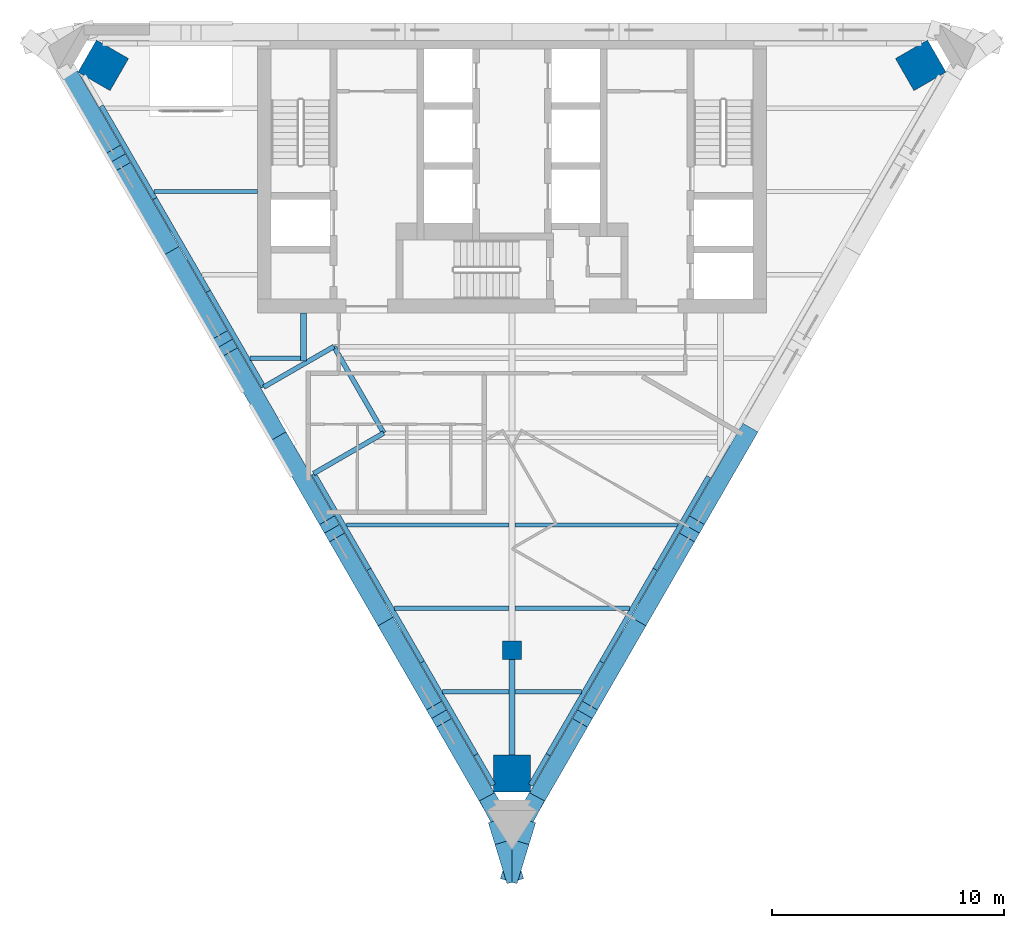
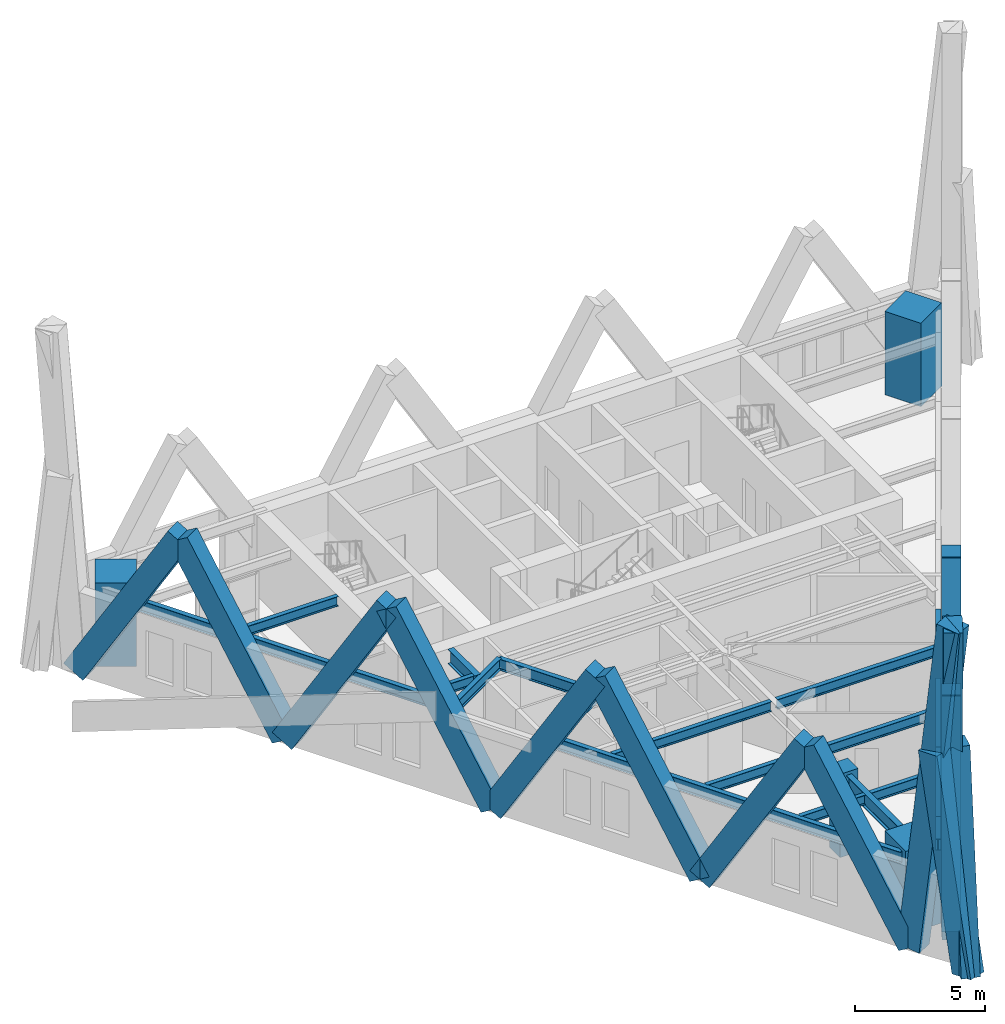
# One storey, part 1 of 9: 24 beams, 16 members, 4 columns.
"""IFC4 building model written with IfcOpenShell, lengths in metres."""

from ifc_helpers import new_model, si_unit, direction, frame, origin, origin_2d, place, context, subcontext, project, spatial, rectangle, i_section, extrude, material, material_profile, profile_set, type_object, element, save


model = new_model("IFC4")

# Units and contexts
model_context = context("Model", 3, precision=1e-05, world=origin(), true_north=direction((0.0, 1.0)))
body_context = subcontext(model_context, "Body", "Model", "MODEL_VIEW")
ifc_project = project(units=[si_unit("LENGTHUNIT", "METRE"), si_unit("AREAUNIT", "SQUARE_METRE"), si_unit("VOLUMEUNIT", "CUBIC_METRE"), si_unit("PLANEANGLEUNIT", "RADIAN"), si_unit("MASSUNIT", "GRAM", prefix="KILO")], contexts=[model_context])

# Site, building, storey
site_placement = place(None, origin())
site = spatial("IfcSite", under=ifc_project, at=site_placement, CompositionType="ELEMENT")
building_placement = place(site_placement, origin())
building = spatial("IfcBuilding", under=site, at=building_placement, Name="Aloe Facet Convention Tower", CompositionType="ELEMENT")
storey_placement = place(building_placement, frame((0.0, 0.0, 254.300048828125)))
storey = spatial("IfcBuildingStorey", under=building, at=storey_placement, Name="L62", CompositionType="ELEMENT", Elevation=254.300048828125)

# Columns
ifc_material_1 = material(Name="Concrete C70/85", Category="concrete")
ifc_material_profile_1 = material_profile(ifc_material_1, rectangle(XDim=0.800048828125, YDim=0.800048828125, at=origin_2d()), Name="SF-GC-Z5")
ifc_profile_set_1 = profile_set([ifc_material_profile_1], Name="Concrete C70/85")
column_type_1 = type_object("IfcColumnType", Name="SF-GC-Z5", PredefinedType="COLUMN", material=ifc_profile_set_1)
column_placement = place(storey_placement, frame((80.0, 108.0, 0.0), z_axis=(0.0, 0.0, 1.0), x_axis=(1.0, 0.0, 0.0)))
element("IfcColumn", 1, at=column_placement, inside=storey, type_object=column_type_1, Name="Gravity column GC-Z5-9D", PredefinedType="COLUMN", context=body_context, shape_type="SweptSolid", body=[
    extrude(rectangle(XDim=0.800048828125, YDim=0.800048828125, at=origin_2d()), origin(), (0.0, 0.0, 1.0), 3.89990234375),
])
ifc_material_2 = material(Name="Concrete C80/95", Category="concrete")
ifc_material_profile_2 = material_profile(ifc_material_2, rectangle(XDim=1.60009765625, YDim=1.60009765625, at=origin_2d()), Name="STW-MC-Z5")
ifc_profile_set_2 = profile_set([ifc_material_profile_2], Name="Concrete C80/95")
column_type_2 = type_object("IfcColumnType", Name="STW-MC-Z5", PredefinedType="COLUMN", material=ifc_profile_set_2)
for number, where, z_axis, x_axis, name in (
    (2, (97.650634765625, 133.247314453125, 0.0), (0.0, 0.0, 1.0), (-0.5, 0.866025403784, 0.0), "Mega-column MC-NE-L62"),
    (3, (62.349365234375, 133.247314453125, 0.0), (0.0, 0.0, 1.0), (-0.5, -0.866025403784, 0.0), "Mega-column MC-NW-L62"),
    (4, (80.0, 102.67578125, 0.0), (0.0, 0.0, 1.0), (1.0, 0.0, 0.0), "Mega-column MC-S-L62"),
):
    element("IfcColumn", number, at=place(storey_placement, frame(where, z_axis=z_axis, x_axis=x_axis)), inside=storey, type_object=column_type_2, Name=name, PredefinedType="COLUMN", context=body_context, shape_type="SweptSolid", body=[
        extrude(rectangle(XDim=1.60009765625, YDim=1.60009765625, at=origin_2d()), origin(), (0.0, 0.0, 1.0), 3.89990234375),
    ])

# Beams
ifc_material_3 = material(Name="Steel S355", Category="steel")
ifc_material_profile_3 = material_profile(ifc_material_3, i_section(OverallWidth=0.19140625, OverallDepth=0.4599609375, WebThickness=0.010009765625, FlangeThickness=0.01611328125, FilletRadius=0.01025390625, at=origin_2d()), Name="UB 457x191x82")
ifc_profile_set_3 = profile_set([ifc_material_profile_3], Name="Steel S355")
beam_type_1 = type_object("IfcBeamType", Name="SF-B-UB457x191x82", PredefinedType="BEAM", material=ifc_profile_set_3)
beam_1_placement = place(storey_placement, frame((64.53076171875, 127.800048828125, 3.52001953125), z_axis=(1.0, 0.0, 0.0), x_axis=(0.0, 1.0, 0.0)))
element("IfcBeam", 5, at=beam_1_placement, inside=storey, type_object=beam_type_1, Name="Floor beam FB-Z5E-030", PredefinedType="BEAM", context=body_context, shape_type="SweptSolid", body=[
    extrude(i_section(OverallWidth=0.19140625, OverallDepth=0.4599609375, WebThickness=0.010009765625, FlangeThickness=0.01611328125, FilletRadius=0.01025390625, at=origin_2d()), origin(), (0.0, 0.0, 1.0), 4.46923828125),
])
beam_2_placement = place(storey_placement, frame((68.687744140625, 120.60009765625, 3.52001953125), z_axis=(1.0, 0.0, 0.0), x_axis=(0.0, 1.0, 0.0)))
element("IfcBeam", 6, at=beam_2_placement, inside=storey, type_object=beam_type_1, Name="Floor beam FB-Z5E-032", PredefinedType="BEAM", context=body_context, shape_type="SweptSolid", body=[
    extrude(i_section(OverallWidth=0.19140625, OverallDepth=0.4599609375, WebThickness=0.010009765625, FlangeThickness=0.01611328125, FilletRadius=0.01025390625, at=origin_2d()), origin(), (0.0, 0.0, 1.0), 2.185791015625),
])
beam_3_placement = place(storey_placement, frame((72.844482421875, 113.39990234375, 3.52001953125), z_axis=(1.0, 0.0, 0.0), x_axis=(0.0, 1.0, 0.0)))
element("IfcBeam", 7, at=beam_3_placement, inside=storey, type_object=beam_type_1, Name="Floor beam FB-Z5E-035", PredefinedType="BEAM", context=body_context, shape_type="SweptSolid", body=[
    extrude(i_section(OverallWidth=0.19140625, OverallDepth=0.4599609375, WebThickness=0.010009765625, FlangeThickness=0.01611328125, FilletRadius=0.01025390625, at=origin_2d()), origin(), (0.0, 0.0, 1.0), 7.029052734375),
])
beam_4_placement = place(storey_placement, frame((74.923095703125, 109.800048828125, 3.52001953125), z_axis=(1.0, 0.0, 0.0), x_axis=(0.0, 1.0, 0.0)))
element("IfcBeam", 8, at=beam_4_placement, inside=storey, type_object=beam_type_1, Name="Floor beam FB-Z5E-038", PredefinedType="BEAM", context=body_context, shape_type="SweptSolid", body=[
    extrude(i_section(OverallWidth=0.19140625, OverallDepth=0.4599609375, WebThickness=0.010009765625, FlangeThickness=0.01611328125, FilletRadius=0.01025390625, at=origin_2d()), origin(), (0.0, 0.0, 1.0), 4.950439453125),
])
for number, where, z_axis, x_axis, name in (
    (9, (77.00146484375, 106.199951171875, 3.52001953125), (1.0, 0.0, 0.0), (0.0, 1.0, 0.0), "Floor beam FB-Z5E-039"),
    (10, (80.12646484375, 106.199951171875, 3.52001953125), (1.0, 0.0, 0.0), (0.0, 1.0, 0.0), "Floor beam FB-Z5E-040"),
):
    element("IfcBeam", number, at=place(storey_placement, frame(where, z_axis=z_axis, x_axis=x_axis)), inside=storey, type_object=beam_type_1, Name=name, PredefinedType="BEAM", context=body_context, shape_type="SweptSolid", body=[
        extrude(i_section(OverallWidth=0.19140625, OverallDepth=0.4599609375, WebThickness=0.010009765625, FlangeThickness=0.01611328125, FilletRadius=0.01025390625, at=origin_2d()), origin(), (0.0, 0.0, 1.0), 2.8720703125),
    ])
beam_5_placement = place(storey_placement, frame((80.12646484375, 109.800048828125, 3.52001953125), z_axis=(1.0, 0.0, 0.0), x_axis=(0.0, 1.0, 0.0)))
element("IfcBeam", 11, at=beam_5_placement, inside=storey, type_object=beam_type_1, Name="Floor beam FB-Z5E-041", PredefinedType="BEAM", context=body_context, shape_type="SweptSolid", body=[
    extrude(i_section(OverallWidth=0.19140625, OverallDepth=0.4599609375, WebThickness=0.010009765625, FlangeThickness=0.01611328125, FilletRadius=0.01025390625, at=origin_2d()), origin(), (0.0, 0.0, 1.0), 4.950439453125),
])
beam_6_placement = place(storey_placement, frame((80.12646484375, 113.39990234375, 3.52001953125), z_axis=(1.0, 0.0, 0.0), x_axis=(0.0, 1.0, 0.0)))
element("IfcBeam", 12, at=beam_6_placement, inside=storey, type_object=beam_type_1, Name="Floor beam FB-Z5E-042", PredefinedType="BEAM", context=body_context, shape_type="SweptSolid", body=[
    extrude(i_section(OverallWidth=0.19140625, OverallDepth=0.4599609375, WebThickness=0.010009765625, FlangeThickness=0.01611328125, FilletRadius=0.01025390625, at=origin_2d()), origin(), (0.0, 0.0, 1.0), 7.029052734375),
])
ifc_material_4 = material(Name="Steel S355", Category="steel")
ifc_material_profile_4 = material_profile(ifc_material_4, i_section(OverallWidth=0.209228515625, OverallDepth=0.533203125, WebThickness=0.010009765625, FlangeThickness=0.015625, FilletRadius=0.0126953125, at=origin_2d()), Name="UB 533x210x92")
ifc_profile_set_4 = profile_set([ifc_material_profile_4], Name="Steel S355")
beam_type_2 = type_object("IfcBeamType", Name="SF-B-UB533x210x92", PredefinedType="BEAM", material=ifc_profile_set_4)
beam_7_placement = place(storey_placement, frame((64.576904296875, 127.493408203125, 3.4833984375), z_axis=(-0.49999681804, 0.866027240882, 0.0), x_axis=(-0.866027240882, -0.49999681804, 0.0)))
element("IfcBeam", 13, at=beam_7_placement, inside=storey, type_object=beam_type_2, Name="Floor beam FB-Z5E-004", PredefinedType="BEAM", context=body_context, shape_type="SweptSolid", body=[
    extrude(i_section(OverallWidth=0.209228515625, OverallDepth=0.533203125, WebThickness=0.010009765625, FlangeThickness=0.015625, FilletRadius=0.0126953125, at=origin_2d()), origin(), (0.0, 0.0, 1.0), 4.62158203125),
])
beam_8_placement = place(storey_placement, frame((66.8876953125, 123.4912109375, 3.4833984375), z_axis=(-0.500019693086, 0.866014033677, 0.0), x_axis=(-0.866014033677, -0.500019693086, 0.0)))
element("IfcBeam", 14, at=beam_8_placement, inside=storey, type_object=beam_type_2, Name="Floor beam FB-Z5E-005", PredefinedType="BEAM", context=body_context, shape_type="SweptSolid", body=[
    extrude(i_section(OverallWidth=0.209228515625, OverallDepth=0.533203125, WebThickness=0.010009765625, FlangeThickness=0.015625, FilletRadius=0.0126953125, at=origin_2d()), origin(), (0.0, 0.0, 1.0), 4.621337890625),
])
beam_9_placement = place(storey_placement, frame((69.2763671875, 119.353515625, 3.4833984375), z_axis=(-0.499964266659, 0.866046033456, 0.0), x_axis=(-0.866046033456, -0.499964266659, 0.0)))
element("IfcBeam", 15, at=beam_9_placement, inside=storey, type_object=beam_type_2, Name="Floor beam FB-Z5E-006", PredefinedType="BEAM", context=body_context, shape_type="SweptSolid", body=[
    extrude(i_section(OverallWidth=0.209228515625, OverallDepth=0.533203125, WebThickness=0.010009765625, FlangeThickness=0.015625, FilletRadius=0.0126953125, at=origin_2d()), origin(), (0.0, 0.0, 1.0), 4.777587890625),
])
beam_10_placement = place(storey_placement, frame((71.43115234375, 115.62158203125, 3.4833984375), z_axis=(0.866019471182, 0.500010275428, 0.0), x_axis=(-0.500010275428, 0.866019471182, 0.0)))
element("IfcBeam", 16, at=beam_10_placement, inside=storey, type_object=beam_type_2, Name="Floor beam FB-Z5E-007", PredefinedType="BEAM", context=body_context, shape_type="SweptSolid", body=[
    extrude(i_section(OverallWidth=0.209228515625, OverallDepth=0.533203125, WebThickness=0.010009765625, FlangeThickness=0.015625, FilletRadius=0.0126953125, at=origin_2d()), origin(), (0.0, 0.0, 1.0), 3.5),
])
beam_11_placement = place(storey_placement, frame((72.3076171875, 121.103515625, 3.4833984375), z_axis=(-0.866036909293, -0.499980071345, 0.0), x_axis=(0.499980071345, -0.866036909293, 0.0)))
element("IfcBeam", 17, at=beam_11_placement, inside=storey, type_object=beam_type_2, Name="Floor beam FB-Z5E-008", PredefinedType="BEAM", context=body_context, shape_type="SweptSolid", body=[
    extrude(i_section(OverallWidth=0.209228515625, OverallDepth=0.533203125, WebThickness=0.010009765625, FlangeThickness=0.015625, FilletRadius=0.0126953125, at=origin_2d()), origin(), (0.0, 0.0, 1.0), 3.500244140625),
])
beam_12_placement = place(storey_placement, frame((73.81982421875, 111.48388671875, 3.4833984375), z_axis=(-0.499964266659, 0.866046033456, 0.0), x_axis=(-0.866046033456, -0.499964266659, 0.0)))
element("IfcBeam", 18, at=beam_12_placement, inside=storey, type_object=beam_type_2, Name="Floor beam FB-Z5E-009", PredefinedType="BEAM", context=body_context, shape_type="SweptSolid", body=[
    extrude(i_section(OverallWidth=0.209228515625, OverallDepth=0.533203125, WebThickness=0.010009765625, FlangeThickness=0.015625, FilletRadius=0.0126953125, at=origin_2d()), origin(), (0.0, 0.0, 1.0), 4.777587890625),
])
beam_13_placement = place(storey_placement, frame((74.462158203125, 117.37158203125, 3.4833984375), z_axis=(-0.49998401396, 0.866034633132, 0.0), x_axis=(-0.866034633132, -0.49998401396, 0.0)))
element("IfcBeam", 19, at=beam_13_placement, inside=storey, type_object=beam_type_2, Name="Floor beam FB-Z5E-010", PredefinedType="BEAM", context=body_context, shape_type="SweptSolid", body=[
    extrude(i_section(OverallWidth=0.209228515625, OverallDepth=0.533203125, WebThickness=0.010009765625, FlangeThickness=0.015625, FilletRadius=0.0126953125, at=origin_2d()), origin(), (0.0, 0.0, 1.0), 4.309326171875),
])
beam_14_placement = place(storey_placement, frame((76.130615234375, 107.481689453125, 3.4833984375), z_axis=(-0.500019693086, 0.866014033677, 0.0), x_axis=(-0.866014033677, -0.500019693086, 0.0)))
element("IfcBeam", 20, at=beam_14_placement, inside=storey, type_object=beam_type_2, Name="Floor beam FB-Z5E-011", PredefinedType="BEAM", context=body_context, shape_type="SweptSolid", body=[
    extrude(i_section(OverallWidth=0.209228515625, OverallDepth=0.533203125, WebThickness=0.010009765625, FlangeThickness=0.015625, FilletRadius=0.0126953125, at=origin_2d()), origin(), (0.0, 0.0, 1.0), 4.621337890625),
])
beam_15_placement = place(storey_placement, frame((78.44140625, 103.479248046875, 3.4833984375), z_axis=(-0.49999681804, 0.866027240882, 0.0), x_axis=(-0.866027240882, -0.49999681804, 0.0)))
element("IfcBeam", 21, at=beam_15_placement, inside=storey, type_object=beam_type_2, Name="Floor beam FB-Z5E-012", PredefinedType="BEAM", context=body_context, shape_type="SweptSolid", body=[
    extrude(i_section(OverallWidth=0.209228515625, OverallDepth=0.533203125, WebThickness=0.010009765625, FlangeThickness=0.015625, FilletRadius=0.0126953125, at=origin_2d()), origin(), (0.0, 0.0, 1.0), 4.62158203125),
])
for number, where, z_axis, x_axis, name in (
    (22, (79.199951171875, 102.16552734375, 3.4833984375), (-0.500033579465, 0.866006015803, 0.0), (-0.866006015803, -0.500033579465, 0.0), "Floor beam FB-Z5E-013"),
    (23, (81.55859375, 103.479248046875, 3.4833984375), (-0.500033579465, -0.866006015803, 0.0), (0.866006015803, -0.500033579465, 0.0), "Floor beam FB-Z5E-014"),
):
    element("IfcBeam", number, at=place(storey_placement, frame(where, z_axis=z_axis, x_axis=x_axis)), inside=storey, type_object=beam_type_2, Name=name, PredefinedType="BEAM", context=body_context, shape_type="SweptSolid", body=[
        extrude(i_section(OverallWidth=0.209228515625, OverallDepth=0.533203125, WebThickness=0.010009765625, FlangeThickness=0.015625, FilletRadius=0.0126953125, at=origin_2d()), origin(), (0.0, 0.0, 1.0), 1.51708984375),
    ])
beam_16_placement = place(storey_placement, frame((83.869384765625, 107.481689453125, 3.4833984375), z_axis=(-0.49999681804, -0.866027240882, 0.0), x_axis=(0.866027240882, -0.49999681804, 0.0)))
element("IfcBeam", 24, at=beam_16_placement, inside=storey, type_object=beam_type_2, Name="Floor beam FB-Z5E-015", PredefinedType="BEAM", context=body_context, shape_type="SweptSolid", body=[
    extrude(i_section(OverallWidth=0.209228515625, OverallDepth=0.533203125, WebThickness=0.010009765625, FlangeThickness=0.015625, FilletRadius=0.0126953125, at=origin_2d()), origin(), (0.0, 0.0, 1.0), 4.62158203125),
])
beam_17_placement = place(storey_placement, frame((86.18017578125, 111.48388671875, 3.4833984375), z_axis=(-0.500019693086, -0.866014033677, 0.0), x_axis=(0.866014033677, -0.500019693086, 0.0)))
element("IfcBeam", 25, at=beam_17_placement, inside=storey, type_object=beam_type_2, Name="Floor beam FB-Z5E-016", PredefinedType="BEAM", context=body_context, shape_type="SweptSolid", body=[
    extrude(i_section(OverallWidth=0.209228515625, OverallDepth=0.533203125, WebThickness=0.010009765625, FlangeThickness=0.015625, FilletRadius=0.0126953125, at=origin_2d()), origin(), (0.0, 0.0, 1.0), 4.621337890625),
])
beam_18_placement = place(storey_placement, frame((88.49072265625, 115.486328125, 3.4833984375), z_axis=(-0.499957196903, -0.866050114754, 0.0), x_axis=(0.866050114754, -0.499957196903, 0.0)))
element("IfcBeam", 26, at=beam_18_placement, inside=storey, type_object=beam_type_2, Name="Floor beam FB-Z5E-017", PredefinedType="BEAM", context=body_context, shape_type="SweptSolid", body=[
    extrude(i_section(OverallWidth=0.209228515625, OverallDepth=0.533203125, WebThickness=0.010009765625, FlangeThickness=0.015625, FilletRadius=0.0126953125, at=origin_2d()), origin(), (0.0, 0.0, 1.0), 4.62158203125),
])
ifc_material_5 = material(Name="Steel S355", Category="steel")
ifc_material_profile_5 = material_profile(ifc_material_5, i_section(OverallWidth=0.2529296875, OverallDepth=0.677978515625, WebThickness=0.01171875, FlangeThickness=0.01611328125, FilletRadius=0.01513671875, at=origin_2d()), Name="UB 686x254x125")
ifc_profile_set_5 = profile_set([ifc_material_profile_5], Name="Steel S355")
beam_type_3 = type_object("IfcBeamType", Name="SF-B-UB686x254x125", PredefinedType="BEAM", material=ifc_profile_set_5)
beam_19_placement = place(storey_placement, frame((71.0, 122.550048828125, 3.4111328125), z_axis=(0.0, -1.0, 0.0), x_axis=(1.0, 0.0, 0.0)))
element("IfcBeam", 27, at=beam_19_placement, inside=storey, type_object=beam_type_3, Name="Floor beam FB-Z5E-025", PredefinedType="BEAM", context=body_context, shape_type="SweptSolid", body=[
    extrude(i_section(OverallWidth=0.2529296875, OverallDepth=0.677978515625, WebThickness=0.01171875, FlangeThickness=0.01611328125, FilletRadius=0.01513671875, at=origin_2d()), origin(), (0.0, 0.0, 1.0), 2.070556640625),
])
beam_20_placement = place(storey_placement, frame((80.0, 107.60009765625, 3.4111328125), z_axis=(0.0, -1.0, 0.0), x_axis=(1.0, 0.0, 0.0)))
element("IfcBeam", 28, at=beam_20_placement, inside=storey, type_object=beam_type_3, Name="Floor beam FB-Z5E-026", PredefinedType="BEAM", context=body_context, shape_type="SweptSolid", body=[
    extrude(i_section(OverallWidth=0.2529296875, OverallDepth=0.677978515625, WebThickness=0.01171875, FlangeThickness=0.01611328125, FilletRadius=0.01513671875, at=origin_2d()), origin(), (0.0, 0.0, 1.0), 5.60498046875),
])

# Members
ifc_material_6 = material(Name="Concrete C60/75, bronze oxide finish", Category="concrete")
ifc_material_profile_6 = material_profile(ifc_material_6, rectangle(XDim=0.75, YDim=1.0, at=origin_2d()), Name="STW-LM")
ifc_profile_set_6 = profile_set([ifc_material_profile_6], Name="Concrete C60/75, bronze oxide finish")
member_type = type_object("IfcMemberType", Name="STW-LM", PredefinedType="BRACE", material=ifc_profile_set_6)
for number, where, z_axis, x_axis, name in (
    (29, (60.673583984375, 133.24462890625, 0.0), (0.254876492185, -0.441435851704, 0.860332704575), (0.866014033677, 0.500019693086, 0.0), "Lattice member LM-Z5-F2-R2-01"),
    (30, (65.295166015625, 125.239990234375, 0.0), (-0.254873462398, 0.441457532229, 0.860322477565), (-0.866027240882, -0.49999681804, 0.0), "Lattice member LM-Z5-F2-R2-02"),
    (31, (65.295166015625, 125.239990234375, 0.0), (0.254873462398, -0.441457532229, 0.860322477565), (0.866027240882, 0.49999681804, 0.0), "Lattice member LM-Z5-F2-R2-03"),
    (32, (69.916748046875, 117.2353515625, 0.0), (-0.254876492185, 0.441435851704, 0.860332704575), (-0.866014033677, -0.500019693086, 0.0), "Lattice member LM-Z5-F2-R2-04"),
    (33, (69.916748046875, 117.2353515625, 0.0), (0.254873462398, -0.441457532229, 0.860322477565), (0.866027240882, 0.49999681804, 0.0), "Lattice member LM-Z5-F2-R2-05"),
    (34, (74.538330078125, 109.23046875, 0.0), (-0.254873462398, 0.441457532229, 0.860322477565), (-0.866027240882, -0.49999681804, 0.0), "Lattice member LM-Z5-F2-R2-06"),
    (35, (74.538330078125, 109.23046875, 0.0), (0.254876492185, -0.441435851704, 0.860332704575), (0.866014033677, 0.500019693086, 0.0), "Lattice member LM-Z5-F2-R2-07"),
    (36, (79.159912109375, 101.225830078125, 0.0), (-0.254873462398, 0.441457532229, 0.860322477565), (-0.866027240882, -0.49999681804, 0.0), "Lattice member LM-Z5-F2-R2-08"),
    (37, (80.840087890625, 101.225830078125, 0.0), (0.254873462398, 0.441457532229, 0.860322477565), (-0.866027240882, 0.49999681804, 0.0), "Lattice member LM-Z5-F3-R2-01"),
    (38, (85.461669921875, 109.23046875, 0.0), (-0.254876492185, -0.441435851704, 0.860332704575), (0.866014033677, -0.500019693086, 0.0), "Lattice member LM-Z5-F3-R2-02"),
    (39, (85.461669921875, 109.23046875, 0.0), (0.254873462398, 0.441457532229, 0.860322477565), (-0.866027240882, 0.49999681804, 0.0), "Lattice member LM-Z5-F3-R2-03"),
    (40, (90.083251953125, 117.2353515625, 0.0), (-0.254873462398, -0.441457532229, 0.860322477565), (0.866027240882, -0.49999681804, 0.0), "Lattice member LM-Z5-F3-R2-04"),
):
    element("IfcMember", number, at=place(storey_placement, frame(where, z_axis=z_axis, x_axis=x_axis)), inside=storey, type_object=member_type, Name=name, PredefinedType="BRACE", context=body_context, shape_type="SweptSolid", body=[
        extrude(rectangle(XDim=0.75, YDim=1.0, at=origin_2d()), origin(), (0.0, 0.0, 1.0), 9.06640625),
    ])
member_1_placement = place(storey_placement, frame((79.159912109375, 101.225830078125, 0.0), z_axis=(0.053502342641, -0.100458772393, 0.993501652933), x_axis=(0.882628842938, 0.470070553869, 0.0)))
element("IfcMember", 41, at=member_1_placement, inside=storey, type_object=member_type, Name="Lattice member LM-Z5-F5-R2-01", PredefinedType="BRACE", context=body_context, shape_type="SweptSolid", body=[
    extrude(rectangle(XDim=0.75, YDim=1.0, at=origin_2d()), origin(), (0.0, 0.0, 1.0), 15.701904296875),
])
member_2_placement = place(storey_placement, frame((80.0, 98.486328125, 0.0), z_axis=(-0.052967038367, 0.172722942353, 0.983545259778), x_axis=(-0.956056272694, -0.293183225037, 0.0)))
element("IfcMember", 42, at=member_2_placement, inside=storey, type_object=member_type, Name="Lattice member LM-Z5-F5-R2-02", PredefinedType="BRACE", context=body_context, shape_type="SweptSolid", body=[
    extrude(rectangle(XDim=0.75, YDim=1.0, at=origin_2d()), origin(), (0.0, 0.0, 1.0), 9.78564453125),
])
member_3_placement = place(storey_placement, frame((80.840087890625, 101.225830078125, 0.0), z_axis=(-0.053502342641, -0.100458772393, 0.993501652933), x_axis=(0.882628842938, -0.470070553869, 0.0)))
element("IfcMember", 43, at=member_3_placement, inside=storey, type_object=member_type, Name="Lattice member LM-Z5-F5-R2-03", PredefinedType="BRACE", context=body_context, shape_type="SweptSolid", body=[
    extrude(rectangle(XDim=0.75, YDim=1.0, at=origin_2d()), origin(), (0.0, 0.0, 1.0), 15.701904296875),
])
member_4_placement = place(storey_placement, frame((80.0, 98.486328125, 0.0), z_axis=(0.052967038367, 0.172722942353, 0.983545259778), x_axis=(-0.956056272694, 0.293183225037, 0.0)))
element("IfcMember", 44, at=member_4_placement, inside=storey, type_object=member_type, Name="Lattice member LM-Z5-F5-R2-04", PredefinedType="BRACE", context=body_context, shape_type="SweptSolid", body=[
    extrude(rectangle(XDim=0.75, YDim=1.0, at=origin_2d()), origin(), (0.0, 0.0, 1.0), 9.78564453125),
])

save(model, "model.ifc")
